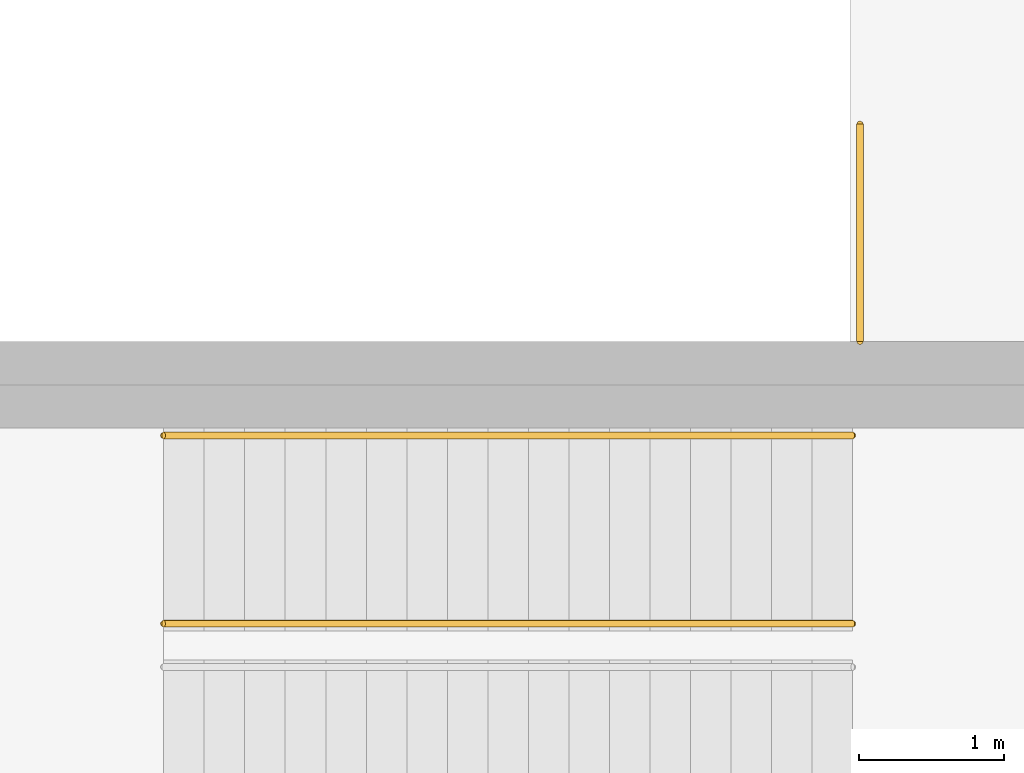
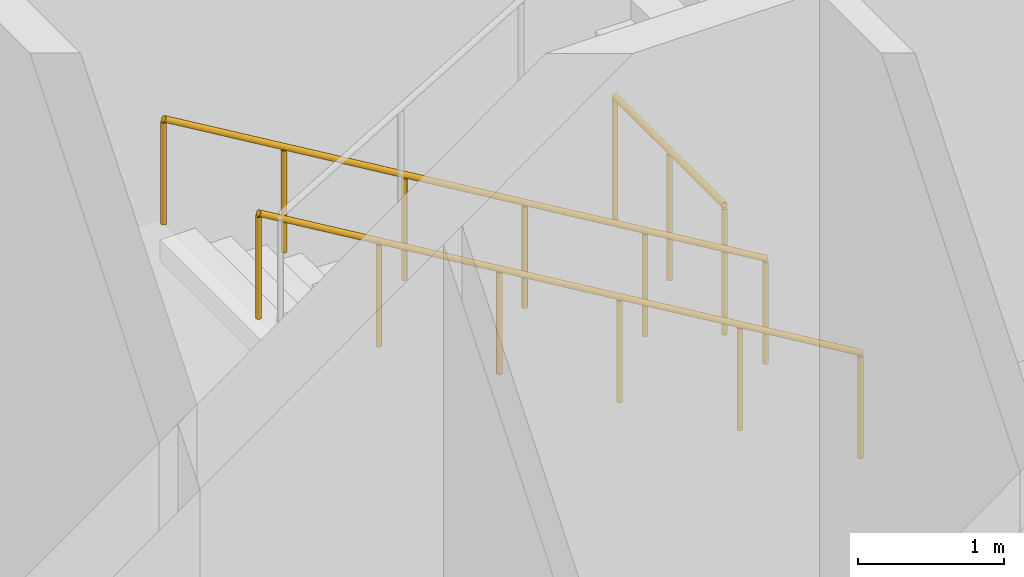
# One storey, part 54 of 59: 3 railings.
"""IFC4 building model written with IfcOpenShell, lengths in metres."""

from ifc_helpers import new_model, si_unit, direction, frame, origin, origin_2d, place, context, subcontext, project, spatial, circle, extrude, material, constituent, constituent_set, type_object, element, save


model = new_model("IFC4")

# Units and contexts
model_context = context("Model", 3, precision=1e-05, world=origin(), true_north=direction((0.0, 1.0)))
body_context = subcontext(model_context, "Body", "Model", "MODEL_VIEW")
ifc_project = project(units=[si_unit("LENGTHUNIT", "METRE"), si_unit("AREAUNIT", "SQUARE_METRE"), si_unit("VOLUMEUNIT", "CUBIC_METRE"), si_unit("PLANEANGLEUNIT", "RADIAN"), si_unit("MASSUNIT", "GRAM", prefix="KILO")], contexts=[model_context])

# Site, building, storey
site_placement = place(None, origin())
site = spatial("IfcSite", under=ifc_project, at=site_placement, CompositionType="ELEMENT")
building_placement = place(site_placement, origin())
building = spatial("IfcBuilding", under=site, at=building_placement, Name="Lilac Gate Convention Centre", CompositionType="ELEMENT")
storey_placement = place(building_placement, origin())
storey = spatial("IfcBuildingStorey", under=building, at=storey_placement, Name="L00", CompositionType="ELEMENT", Elevation=0.0)

# Railings
ifc_material_1 = material(Name="Steel Q235B", Category="steel")
ifc_constituent_1 = constituent(ifc_material_1, Name="Frame")
ifc_material_2 = material(Name="Safety glass, bonded interlayer", Category="glass")
ifc_constituent_2 = constituent(ifc_material_2, Name="Infill")
ifc_constituent_set = constituent_set(constituents=[ifc_constituent_1, ifc_constituent_2], Name="Steel Q235B, Safety glass, bonded interlayer")
railing_type_1 = type_object("IfcRailingType", Name="Guard 1100 steel and glass", PredefinedType="GUARDRAIL", material=ifc_constituent_set)
railing_placement = place(storey_placement, frame((88.25, 114.300048828125, 0.0)))
element("IfcRailing", 1, at=railing_placement, inside=storey, type_object=railing_type_1, Name="Stairwell guard BE1", PredefinedType="GUARDRAIL", context=body_context, shape_type="SweptSolid", body=[
    extrude(circle(Radius=0.02392578125, at=origin_2d()), frame((0.0, 0.0, 1.076171875), z_axis=(0.0, 1.0, 0.0), x_axis=(-1.0, 0.0, 0.0)), (0.0, 0.0, 1.0), 1.5),
    extrude(circle(Radius=0.02099609375, at=origin_2d()), origin(), (0.0, 0.0, 1.0), 1.052001953125),
    extrude(circle(Radius=0.02099609375, at=origin_2d()), frame((0.0, 0.75, 0.0)), (0.0, 0.0, 1.0), 1.052001953125),
    extrude(circle(Radius=0.02099609375, at=origin_2d()), frame((0.0, 1.5, 0.0)), (0.0, 0.0, 1.0), 1.052001953125),
])
ifc_material_3 = material(Name="Stainless steel 304", Category="steel")
railing_type_2 = type_object("IfcRailingType", Name="Stair handrail 900", PredefinedType="HANDRAIL", material=ifc_material_3)
for number, where, name in (
    (2, (88.199951171875, 112.35009765625, 0.166748046875), "Stair handrail E1B"),
    (3, (88.199951171875, 113.64990234375, 0.166748046875), "Stair handrail E1B"),
):
    element("IfcRailing", number, at=place(storey_placement, frame(where)), inside=storey, type_object=railing_type_2, Name=name, PredefinedType="HANDRAIL", context=body_context, shape_type="SweptSolid", body=[
        extrude(circle(Radius=0.02392578125, at=origin_2d()), frame((0.0, 0.0, 0.8759765625), z_axis=(-0.859299802514, 0.0, 0.511472237174), x_axis=(0.0, -1.0, 0.0)), (0.0, 0.0, 1.0), 5.539306640625),
        extrude(circle(Radius=0.02099609375, at=origin_2d()), origin(), (0.0, 0.0, 1.0), 0.851806640625),
        extrude(circle(Radius=0.02099609375, at=origin_2d()), frame((-0.951904296875, 0.0, 0.566650390625)), (0.0, 0.0, 1.0), 0.851806640625),
        extrude(circle(Radius=0.02099609375, at=origin_2d()), frame((-1.904052734375, 0.0, 1.13330078125)), (0.0, 0.0, 1.0), 0.851806640625),
        extrude(circle(Radius=0.02099609375, at=origin_2d()), frame((-2.85595703125, 0.0, 1.699951171875)), (0.0, 0.0, 1.0), 0.851806640625),
        extrude(circle(Radius=0.02099609375, at=origin_2d()), frame((-3.80810546875, 0.0, 2.2666015625)), (0.0, 0.0, 1.0), 0.851806640625),
        extrude(circle(Radius=0.02099609375, at=origin_2d()), frame((-4.760009765625, 0.0, 2.833251953125)), (0.0, 0.0, 1.0), 0.851806640625),
    ])

save(model, "model.ifc")
